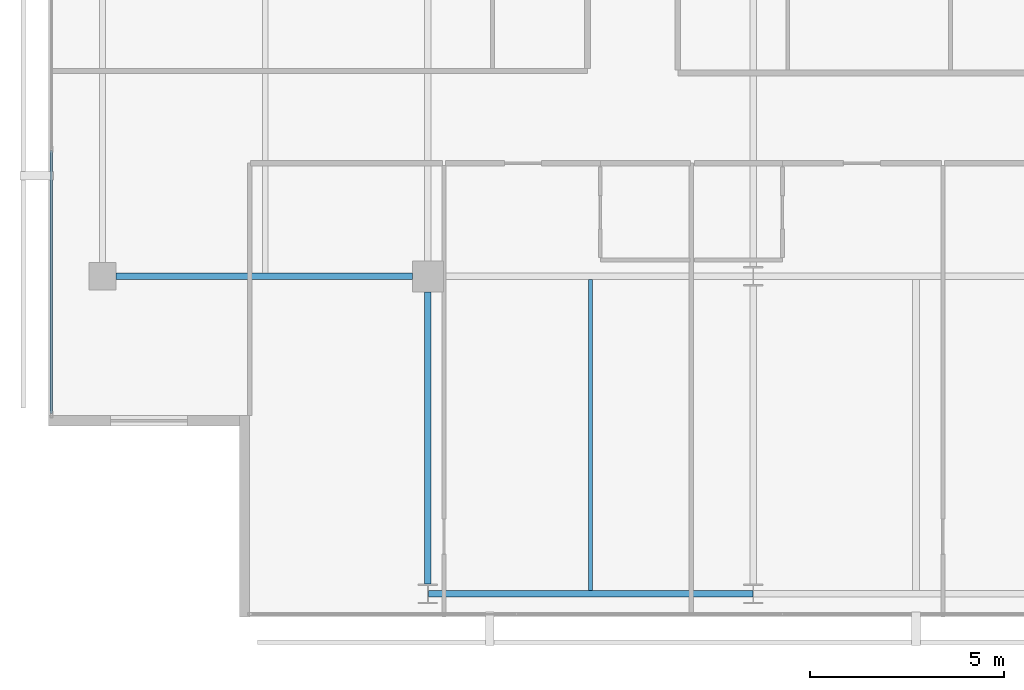
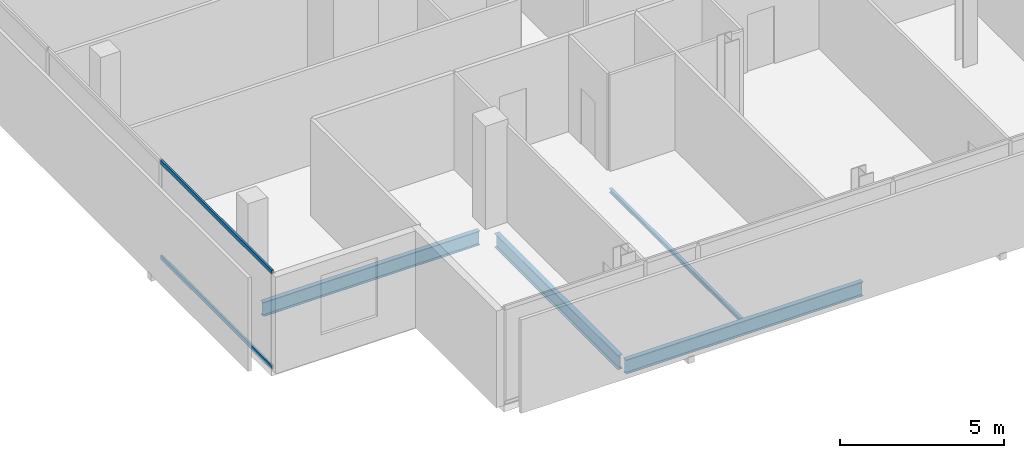
# One storey, part 3 of 25: 4 beams, 2 members, 1 element without a shape of its own.
"""IFC4 building model written with IfcOpenShell, lengths in metres."""

from ifc_helpers import new_model, si_unit, direction, frame, origin, origin_2d, place, context, subcontext, project, spatial, hollow_rectangle, i_section, extrude, material, layer, layer_set, material_profile, profile_set, type_object, element, aggregate, save


model = new_model("IFC4")

# Units and contexts
model_context = context("Model", 3, precision=1e-05, world=origin(), true_north=direction((0.0, 1.0)))
body_context = subcontext(model_context, "Body", "Model", "MODEL_VIEW")
ifc_project = project(units=[si_unit("LENGTHUNIT", "METRE"), si_unit("AREAUNIT", "SQUARE_METRE"), si_unit("VOLUMEUNIT", "CUBIC_METRE"), si_unit("PLANEANGLEUNIT", "RADIAN"), si_unit("MASSUNIT", "GRAM", prefix="KILO")], contexts=[model_context])

# Site, building, storey
site_placement = place(None, origin())
site = spatial("IfcSite", under=ifc_project, at=site_placement, CompositionType="ELEMENT")
building_placement = place(site_placement, origin())
building = spatial("IfcBuilding", under=site, at=building_placement, Name="Maruvema Waterfront Hotel and Observation Tower", CompositionType="ELEMENT")
storey_placement = place(building_placement, frame((0.0, 0.0, 304.85009765625)))
storey = spatial("IfcBuildingStorey", under=building, at=storey_placement, Name="L75", CompositionType="ELEMENT", Elevation=304.85009765625)

# Curtain wall, members
ifc_material_1 = material(Name="Anodised bronze aluminium and solar-control low-E IGU", Category="aluminium")
ifc_layer = layer(ifc_material_1, 0.159912109375, Name="Zone 3 Champagne Inner Thermal Curtain Wall System CW-04")
ifc_layer_set = layer_set([ifc_layer], Name="Anodised bronze aluminium and solar-control low-E IGU")
curtain_wall_type = type_object("IfcCurtainWallType", Name="Zone 3 Champagne Inner Thermal Curtain Wall System CW-04", PredefinedType="USERDEFINED", material=ifc_layer_set)
curtain_wall_placement = place(storey_placement, origin())
curtain_wall = element("IfcCurtainWall", 1, at=curtain_wall_placement, inside=storey, type_object=curtain_wall_type, Name="L75 Curtain Wall CW-L75-W", ObjectType="UNITISED CURTAIN WALL", PredefinedType="USERDEFINED")
ifc_material_2 = material(Name="Anodised architectural bronze aluminium", Category="aluminium")
ifc_material_profile_1 = material_profile(ifc_material_2, hollow_rectangle(XDim=0.070068359375, YDim=0.14990234375, WallThickness=0.00390625, at=origin_2d()), Name="ALU-T70x150")
ifc_profile_set_1 = profile_set([ifc_material_profile_1], Name="Anodised architectural bronze aluminium")
member_type = type_object("IfcMemberType", Name="Curtain Wall Horizontal Transom ALU-T70x150", PredefinedType="USERDEFINED", material=ifc_profile_set_1)
member_1_placement = place(storey_placement, frame((15.47998046875, 21.25, 0.02978515625), z_axis=(0.0, -1.0, 0.0), x_axis=(1.0, 0.0, 0.0)))
member_1 = element("IfcMember", 2, at=member_1_placement, type_object=member_type, Name="CW-04 transom 5.1", ObjectType="TRANSOM", PredefinedType="USERDEFINED", context=body_context, shape_type="SweptSolid", body=[
    extrude(hollow_rectangle(XDim=0.070068359375, YDim=0.14990234375, WallThickness=0.00390625, at=origin_2d()), origin(), (0.0, 0.0, 1.0), 6.7900390625),
])
member_2_placement = place(storey_placement, frame((15.47998046875, 21.25, 3.579833984375), z_axis=(0.0, -1.0, 0.0), x_axis=(1.0, 0.0, 0.0)))
member_2 = element("IfcMember", 3, at=member_2_placement, type_object=member_type, Name="CW-04 transom 5.2", ObjectType="TRANSOM", PredefinedType="USERDEFINED", context=body_context, shape_type="SweptSolid", body=[
    extrude(hollow_rectangle(XDim=0.070068359375, YDim=0.14990234375, WallThickness=0.00390625, at=origin_2d()), origin(), (0.0, 0.0, 1.0), 6.7900390625),
])
aggregate(curtain_wall, [member_1, member_2])

# Beams
ifc_material_3 = material(Name="Steel ASTM A572 Grade 50", Category="steel")
ifc_material_profile_2 = material_profile(ifc_material_3, i_section(OverallWidth=0.166015625, OverallDepth=0.529052734375, WebThickness=0.009765625, FlangeThickness=0.013671875, FilletRadius=0.014892578125, at=origin_2d()), Name="W530x74.0")
ifc_profile_set_2 = profile_set([ifc_material_profile_2], Name="Steel ASTM A572 Grade 50")
beam_type_1 = type_object("IfcBeamType", Name="Primary Floor Girder W530x74.0", PredefinedType="BEAM", material=ifc_profile_set_2)
beam_1_placement = place(storey_placement, frame((25.2109375, 9.800048828125, -0.504638671875), z_axis=(1.0, 0.0, 0.0), x_axis=(0.0, 1.0, 0.0)))
element("IfcBeam", 4, at=beam_1_placement, inside=storey, type_object=beam_type_1, Name="L75 Floor Girder EW-01", PredefinedType="BEAM", context=body_context, shape_type="SweptSolid", body=[
    extrude(i_section(OverallWidth=0.166015625, OverallDepth=0.529052734375, WebThickness=0.009765625, FlangeThickness=0.013671875, FilletRadius=0.014892578125, at=origin_2d()), origin(), (0.0, 0.0, 1.0), 8.378173828125),
])
beam_2_placement = place(storey_placement, frame((17.14990234375, 18.0, -0.504638671875), z_axis=(1.0, 0.0, 0.0), x_axis=(0.0, 1.0, 0.0)))
element("IfcBeam", 5, at=beam_2_placement, inside=storey, type_object=beam_type_1, Name="L75 Floor Girder EW-04", PredefinedType="BEAM", context=body_context, shape_type="SweptSolid", body=[
    extrude(i_section(OverallWidth=0.166015625, OverallDepth=0.529052734375, WebThickness=0.009765625, FlangeThickness=0.013671875, FilletRadius=0.014892578125, at=origin_2d()), origin(), (0.0, 0.0, 1.0), 7.650146484375),
])
beam_3_placement = place(storey_placement, frame((25.199951171875, 10.050048828125, -0.504638671875), z_axis=(0.0, 1.0, 0.0), x_axis=(-1.0, 0.0, 0.0)))
element("IfcBeam", 6, at=beam_3_placement, inside=storey, type_object=beam_type_1, Name="L75 Floor Girder NS-04", PredefinedType="BEAM", context=body_context, shape_type="SweptSolid", body=[
    extrude(i_section(OverallWidth=0.166015625, OverallDepth=0.529052734375, WebThickness=0.009765625, FlangeThickness=0.013671875, FilletRadius=0.014892578125, at=origin_2d()), origin(), (0.0, 0.0, 1.0), 7.550048828125),
])
ifc_material_4 = material(Name="Steel ASTM A572 Grade 50", Category="steel")
ifc_material_profile_3 = material_profile(ifc_material_4, i_section(OverallWidth=0.10009765625, OverallDepth=0.153076171875, WebThickness=0.005859375, FlangeThickness=0.007080078125, FilletRadius=0.008056640625, at=origin_2d()), Name="W150x18.0")
ifc_profile_set_3 = profile_set([ifc_material_profile_3], Name="Steel ASTM A572 Grade 50")
beam_type_2 = type_object("IfcBeamType", Name="Secondary Floor Joist W150x18.0", PredefinedType="JOIST", material=ifc_profile_set_3)
beam_4_placement = place(storey_placement, frame((29.39990234375, 9.883056640625, -0.316650390625), z_axis=(0.0, 1.0, 0.0), x_axis=(-1.0, 0.0, 0.0)))
element("IfcBeam", 7, at=beam_4_placement, inside=storey, type_object=beam_type_2, Name="L75 Secondary Floor Joist JS-04", PredefinedType="JOIST", context=body_context, shape_type="SweptSolid", body=[
    extrude(i_section(OverallWidth=0.10009765625, OverallDepth=0.153076171875, WebThickness=0.005859375, FlangeThickness=0.007080078125, FilletRadius=0.008056640625, at=origin_2d()), origin(), (0.0, 0.0, 1.0), 8.033935546875),
])

save(model, "model.ifc")
